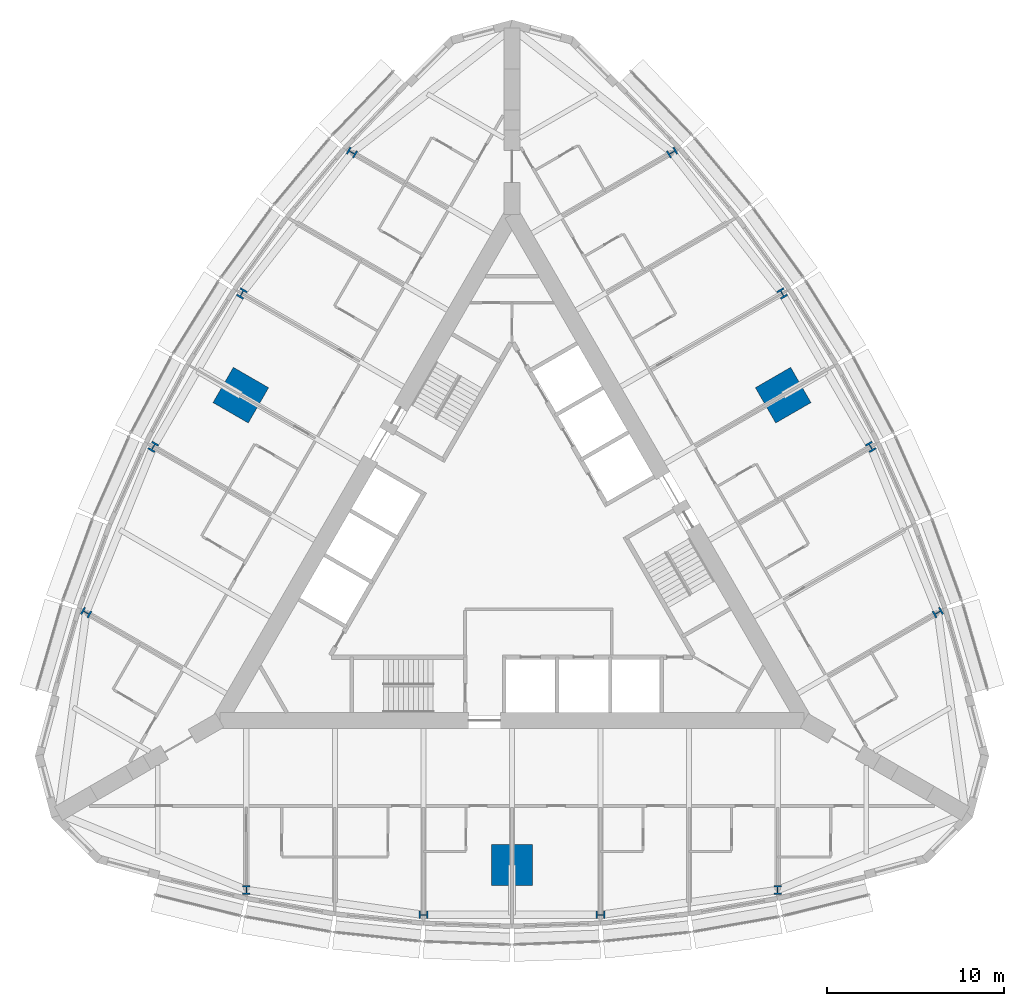
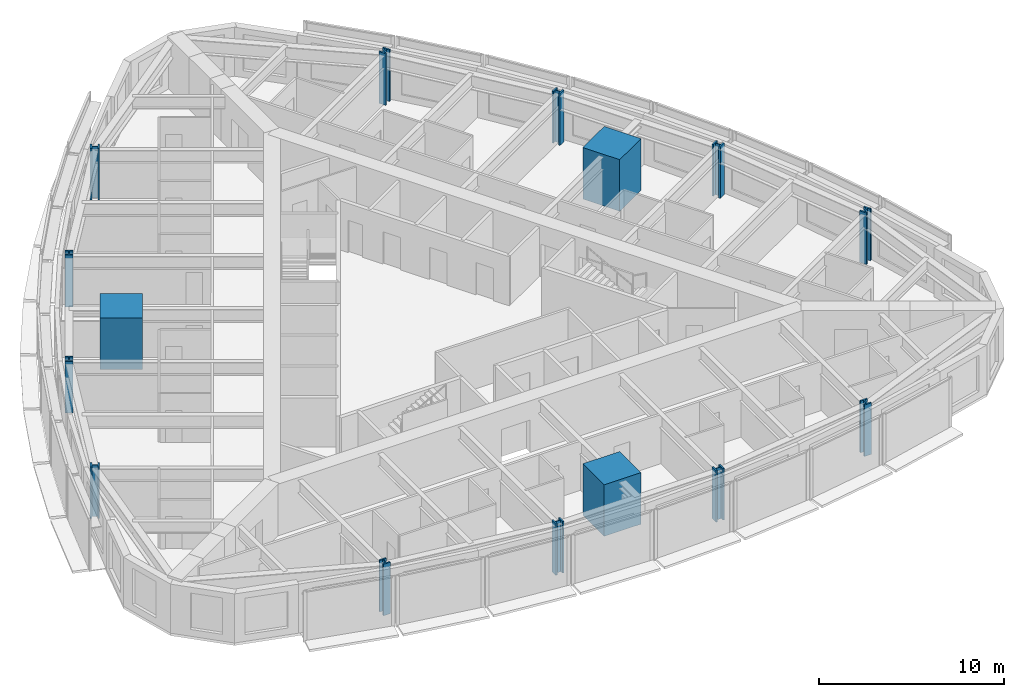
# One storey, part 1 of 14: 15 columns.
"""IFC4 building model written with IfcOpenShell, lengths in metres."""

from ifc_helpers import new_model, si_unit, direction, frame, origin, origin_2d, place, context, subcontext, project, spatial, rectangle, i_section, extrude, material, material_profile, profile_set, type_object, element, save


model = new_model("IFC4")

# Units and contexts
model_context = context("Model", 3, precision=1e-05, world=origin(), true_north=direction((0.0, 1.0)))
body_context = subcontext(model_context, "Body", "Model", "MODEL_VIEW")
ifc_project = project(units=[si_unit("LENGTHUNIT", "METRE"), si_unit("AREAUNIT", "SQUARE_METRE"), si_unit("VOLUMEUNIT", "CUBIC_METRE"), si_unit("PLANEANGLEUNIT", "RADIAN"), si_unit("MASSUNIT", "GRAM", prefix="KILO")], contexts=[model_context])

# Site, building, storey
site_placement = place(None, origin())
site = spatial("IfcSite", under=ifc_project, at=site_placement, CompositionType="ELEMENT")
building_placement = place(site_placement, origin())
building = spatial("IfcBuilding", under=site, at=building_placement, Name="Trikona Tower", CompositionType="ELEMENT")
storey_placement = place(building_placement, frame((0.0, 0.0, 148.699951171875)))
storey = spatial("IfcBuildingStorey", under=building, at=storey_placement, Name="L39", CompositionType="ELEMENT", Elevation=148.699951171875)

# Columns
ifc_material_1 = material(Name="Concrete f'c 10000 psi with encased steel section", Category="concrete")
ifc_material_profile_1 = material_profile(ifc_material_1, rectangle(XDim=2.300048828125, YDim=2.300048828125, at=origin_2d()), Name="MC2300")
ifc_profile_set_1 = profile_set([ifc_material_profile_1], Name="Concrete f'c 10000 psi with encased steel section")
column_type_1 = type_object("IfcColumnType", Name="Composite mega column 2300x2300", PredefinedType="COLUMN", material=ifc_profile_set_1)
for number, where, z_axis, x_axis, name in (
    (1, (0.0, -17.680419921875, 0.0), (0.0, 0.0, 1.0), (0.0, -1.0, 0.0), "Mega column MC1"),
    (2, (15.311767578125, 8.84033203125, 0.0), (0.0, 0.0, 1.0), (0.866025403784, 0.5, 0.0), "Mega column MC2"),
    (3, (-15.311767578125, 8.84033203125, 0.0), (0.0, 0.0, 1.0), (-0.866025403784, 0.5, 0.0), "Mega column MC3"),
):
    element("IfcColumn", number, at=place(storey_placement, frame(where, z_axis=z_axis, x_axis=x_axis)), inside=storey, type_object=column_type_1, Name=name, PredefinedType="COLUMN", context=body_context, shape_type="SweptSolid", body=[
        extrude(rectangle(XDim=2.300048828125, YDim=2.300048828125, at=origin_2d()), origin(), (0.0, 0.0, 1.0), 3.400146484375),
    ])
ifc_material_2 = material(Name="Steel ASTM A992 Grade 50", Category="steel")
ifc_material_profile_2 = material_profile(ifc_material_2, i_section(OverallWidth=0.436767578125, OverallDepth=0.51318359375, WebThickness=0.060546875, FlangeThickness=0.096923828125, at=origin_2d()), Name="W14X550")
ifc_profile_set_2 = profile_set([ifc_material_profile_2], Name="Steel ASTM A992 Grade 50")
column_type_2 = type_object("IfcColumnType", Name="Steel column W14x550", PredefinedType="COLUMN", material=ifc_profile_set_2)
for number, where, z_axis, x_axis, name in (
    (4, (-15.0, -19.10009765625, 0.0), (0.0, 0.0, 1.0), (1.0, 0.0, 0.0), "Column F0m15"),
    (5, (-5.0, -20.500244140625, 0.0), (0.0, 0.0, 1.0), (0.0, -1.0, 0.0), "Column F0m5"),
    (6, (5.0, -20.500244140625, 0.0), (0.0, 0.0, 1.0), (0.0, -1.0, 0.0), "Column F0p5"),
    (7, (15.0, -19.10009765625, 0.0), (0.0, 0.0, 1.0), (1.0, 0.0, 0.0), "Column F0p15"),
    (8, (24.041259765625, -3.440185546875, 0.0), (0.0, 0.0, 1.0), (-0.5, 0.866025403784, 0.0), "Column F1m15"),
    (9, (20.253662109375, 5.919921875, 0.0), (0.0, 0.0, 1.0), (0.866025403784, 0.5, 0.0), "Column F1m5"),
    (10, (15.253662109375, 14.580078125, 0.0), (0.0, 0.0, 1.0), (0.866025403784, 0.5, 0.0), "Column F1p5"),
    (11, (9.041259765625, 22.54052734375, 0.0), (0.0, 0.0, 1.0), (-0.5, 0.866025403784, 0.0), "Column F1p15"),
    (12, (-9.041259765625, 22.54052734375, 0.0), (0.0, 0.0, 1.0), (-0.5, -0.866025403784, 0.0), "Column F2m15"),
    (13, (-15.253662109375, 14.580078125, 0.0), (0.0, 0.0, 1.0), (-0.866025403784, 0.5, 0.0), "Column F2m5"),
    (14, (-20.253662109375, 5.919921875, 0.0), (0.0, 0.0, 1.0), (-0.866025403784, 0.5, 0.0), "Column F2p5"),
    (15, (-24.041259765625, -3.440185546875, 0.0), (0.0, 0.0, 1.0), (-0.5, -0.866025403784, 0.0), "Column F2p15"),
):
    element("IfcColumn", number, at=place(storey_placement, frame(where, z_axis=z_axis, x_axis=x_axis)), inside=storey, type_object=column_type_2, Name=name, PredefinedType="COLUMN", context=body_context, shape_type="SweptSolid", body=[
        extrude(i_section(OverallWidth=0.436767578125, OverallDepth=0.51318359375, WebThickness=0.060546875, FlangeThickness=0.096923828125, at=origin_2d()), origin(), (0.0, 0.0, 1.0), 3.400146484375),
    ])

save(model, "model.ifc")
